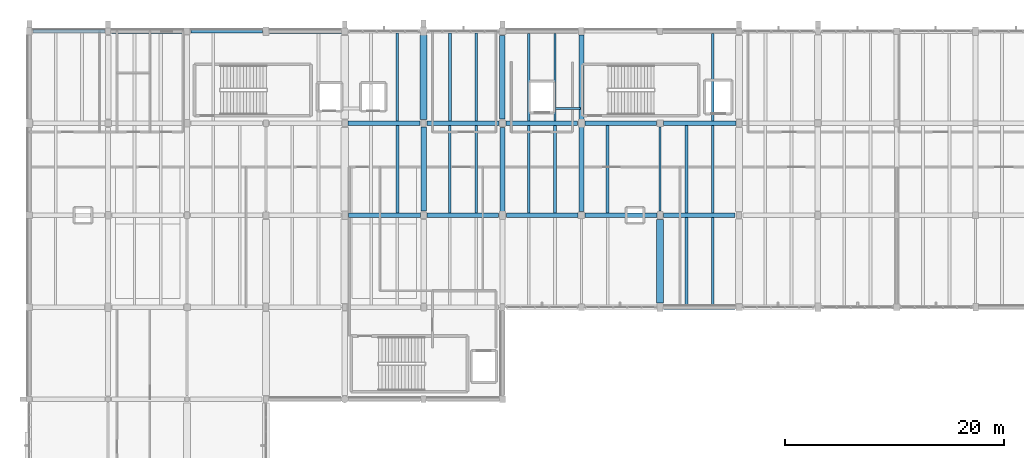
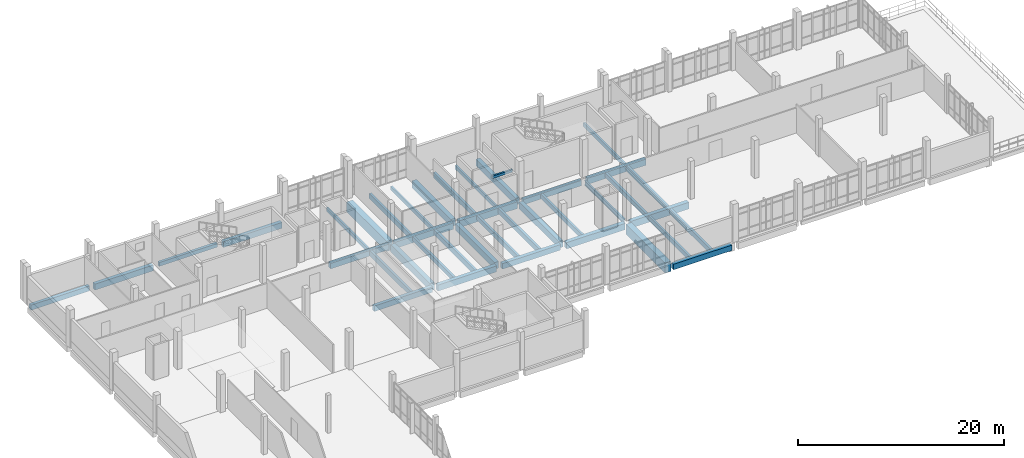
# One storey, part 30 of 62: 40 beams.
"""IFC4 building model written with IfcOpenShell, lengths in metres."""

from ifc_helpers import new_model, si_unit, direction, frame, origin, origin_2d, place, context, subcontext, project, spatial, rectangle, i_section, extrude, material, material_profile, profile_set, type_object, element, save


model = new_model("IFC4")

# Units and contexts
model_context = context("Model", 3, precision=1e-05, world=origin(), true_north=direction((0.0, 1.0)))
body_context = subcontext(model_context, "Body", "Model", "MODEL_VIEW")
ifc_project = project(units=[si_unit("LENGTHUNIT", "METRE"), si_unit("AREAUNIT", "SQUARE_METRE"), si_unit("VOLUMEUNIT", "CUBIC_METRE"), si_unit("PLANEANGLEUNIT", "RADIAN"), si_unit("MASSUNIT", "GRAM", prefix="KILO")], contexts=[model_context])

# Site, building, storey
site_placement = place(None, origin())
site = spatial("IfcSite", under=ifc_project, at=site_placement, CompositionType="ELEMENT")
building_placement = place(site_placement, origin())
building = spatial("IfcBuilding", under=site, at=building_placement, Name="Kalluvel Institute of Natural Sciences", CompositionType="ELEMENT")
storey_placement = place(building_placement, frame((0.0, 0.0, 27.89990234375)))
storey = spatial("IfcBuildingStorey", under=building, at=storey_placement, Name="L06", CompositionType="ELEMENT", Elevation=27.89990234375)

# Beams
ifc_material_1 = material(Name="Steel E350 Grade 350", Category="steel")
ifc_material_profile_1 = material_profile(ifc_material_1, i_section(OverallWidth=0.18994140625, OverallDepth=0.550048828125, WebThickness=0.01123046875, FlangeThickness=0.019287109375, FilletRadius=0.01806640625, at=origin_2d()), Name="ISMB 550")
ifc_profile_set_1 = profile_set([ifc_material_profile_1], Name="Steel E350 Grade 350")
beam_type_1 = type_object("IfcBeamType", Name="BM-ISMB550", PredefinedType="BEAM", material=ifc_profile_set_1)
beam_1_placement = place(storey_placement, frame((71.60009765625, 111.60009765625, -0.594970703125), z_axis=(0.0, 1.0, 0.0), x_axis=(-1.0, 0.0, 0.0)))
element("IfcBeam", 1, at=beam_1_placement, inside=storey, type_object=beam_type_1, Name="L06 girder GIR-L06-NS-X716-Y1112", PredefinedType="BEAM", context=body_context, shape_type="SweptSolid", body=[
    extrude(i_section(OverallWidth=0.18994140625, OverallDepth=0.550048828125, WebThickness=0.01123046875, FlangeThickness=0.019287109375, FilletRadius=0.01806640625, at=origin_2d()), origin(), (0.0, 0.0, 1.0), 7.6748046875),
])
ifc_material_2 = material(Name="Concrete M40", Category="concrete")
ifc_material_profile_2 = material_profile(ifc_material_2, rectangle(XDim=0.3798828125, YDim=0.639892578125, at=origin_2d()), Name="RCB 380x640")
ifc_profile_set_2 = profile_set([ifc_material_profile_2], Name="Concrete M40")
beam_type_2 = type_object("IfcBeamType", Name="BM-RC380x640", PredefinedType="BEAM", material=ifc_profile_set_2)
beam_2_placement = place(storey_placement, frame((43.14990234375, 111.199951171875, -0.639892578125), z_axis=(1.0, 0.0, 0.0), x_axis=(0.0, 1.0, 0.0)))
element("IfcBeam", 2, at=beam_2_placement, inside=storey, type_object=beam_type_2, Name="L06 girder GIR-L06-EW-X428-Y1112", PredefinedType="BEAM", context=body_context, shape_type="SweptSolid", body=[
    extrude(rectangle(XDim=0.3798828125, YDim=0.639892578125, at=origin_2d()), origin(), (0.0, 0.0, 1.0), 6.550048828125),
])
beam_3_placement = place(storey_placement, frame((64.75, 119.60009765625, -0.639892578125), z_axis=(1.0, 0.0, 0.0), x_axis=(0.0, 1.0, 0.0)))
element("IfcBeam", 3, at=beam_3_placement, inside=storey, type_object=beam_type_2, Name="L06 girder GIR-L06-EW-X644-Y1196", PredefinedType="BEAM", context=body_context, shape_type="SweptSolid", body=[
    extrude(rectangle(XDim=0.3798828125, YDim=0.639892578125, at=origin_2d()), origin(), (0.0, 0.0, 1.0), 6.52490234375),
])
ifc_material_profile_3 = material_profile(ifc_material_2, rectangle(XDim=0.39990234375, YDim=0.64990234375, at=origin_2d()), Name="RCB 400x650")
ifc_profile_set_3 = profile_set([ifc_material_profile_3], Name="Concrete M40")
beam_type_3 = type_object("IfcBeamType", Name="BM-RC400x650", PredefinedType="BEAM", material=ifc_profile_set_3)
beam_4_placement = place(storey_placement, frame((71.89990234375, 102.800048828125, -0.64501953125), z_axis=(1.0, 0.0, 0.0), x_axis=(0.0, 1.0, 0.0)))
element("IfcBeam", 4, at=beam_4_placement, inside=storey, type_object=beam_type_3, Name="L06 girder GIR-L06-EW-X716-Y1028", PredefinedType="BEAM", context=body_context, shape_type="SweptSolid", body=[
    extrude(rectangle(XDim=0.39990234375, YDim=0.64990234375, at=origin_2d()), origin(), (0.0, 0.0, 1.0), 6.550048828125),
])
beam_5_placement = place(storey_placement, frame((57.550048828125, 111.199951171875, -0.64501953125), z_axis=(1.0, 0.0, 0.0), x_axis=(0.0, 1.0, 0.0)))
element("IfcBeam", 5, at=beam_5_placement, inside=storey, type_object=beam_type_3, Name="L06 girder GIR-L06-EW-X572-Y1112", PredefinedType="BEAM", context=body_context, shape_type="SweptSolid", body=[
    extrude(rectangle(XDim=0.39990234375, YDim=0.64990234375, at=origin_2d()), origin(), (0.0, 0.0, 1.0), 6.52490234375),
])
beam_6_placement = place(storey_placement, frame((43.10009765625, 119.60009765625, -0.64501953125), z_axis=(1.0, 0.0, 0.0), x_axis=(0.0, 1.0, 0.0)))
element("IfcBeam", 6, at=beam_6_placement, inside=storey, type_object=beam_type_3, Name="L06 girder GIR-L06-EW-X428-Y1196", PredefinedType="BEAM", context=body_context, shape_type="SweptSolid", body=[
    extrude(rectangle(XDim=0.39990234375, YDim=0.64990234375, at=origin_2d()), origin(), (0.0, 0.0, 1.0), 6.574951171875),
])
ifc_material_profile_4 = material_profile(ifc_material_2, rectangle(XDim=0.419921875, YDim=0.719970703125, at=origin_2d()), Name="RCB 420x720")
ifc_profile_set_4 = profile_set([ifc_material_profile_4], Name="Concrete M40")
beam_type_4 = type_object("IfcBeamType", Name="BM-RC420x720", PredefinedType="BEAM", material=ifc_profile_set_4)
beam_7_placement = place(storey_placement, frame((50.300048828125, 111.199951171875, -0.679931640625), z_axis=(1.0, 0.0, 0.0), x_axis=(0.0, 1.0, 0.0)))
element("IfcBeam", 7, at=beam_7_placement, inside=storey, type_object=beam_type_4, Name="L06 girder GIR-L06-EW-X500-Y1112", PredefinedType="BEAM", context=body_context, shape_type="SweptSolid", body=[
    extrude(rectangle(XDim=0.419921875, YDim=0.719970703125, at=origin_2d()), origin(), (0.0, 0.0, 1.0), 6.550048828125),
])
beam_8_placement = place(storey_placement, frame((71.925048828125, 119.60009765625, -0.679931640625), z_axis=(1.0, 0.0, 0.0), x_axis=(0.0, 1.0, 0.0)))
element("IfcBeam", 8, at=beam_8_placement, inside=storey, type_object=beam_type_4, Name="L06 girder GIR-L06-EW-X716-Y1196", PredefinedType="BEAM", context=body_context, shape_type="SweptSolid", body=[
    extrude(rectangle(XDim=0.419921875, YDim=0.719970703125, at=origin_2d()), origin(), (0.0, 0.0, 1.0), 6.574951171875),
])
ifc_material_profile_5 = material_profile(ifc_material_2, rectangle(XDim=0.449951171875, YDim=0.75, at=origin_2d()), Name="RCB 450x750")
ifc_profile_set_5 = profile_set([ifc_material_profile_5], Name="Concrete M40")
beam_type_5 = type_object("IfcBeamType", Name="BM-RC450x750", PredefinedType="BEAM", material=ifc_profile_set_5)
for number, where, z_axis, x_axis, name in (
    (9, (64.72509765625, 111.199951171875, -0.69482421875), (1.0, 0.0, 0.0), (0.0, 1.0, 0.0), "L06 girder GIR-L06-EW-X644-Y1112"),
    (10, (50.324951171875, 119.60009765625, -0.69482421875), (1.0, 0.0, 0.0), (0.0, 1.0, 0.0), "L06 girder GIR-L06-EW-X500-Y1196"),
):
    element("IfcBeam", number, at=place(storey_placement, frame(where, z_axis=z_axis, x_axis=x_axis)), inside=storey, type_object=beam_type_5, Name=name, PredefinedType="BEAM", context=body_context, shape_type="SweptSolid", body=[
        extrude(rectangle(XDim=0.449951171875, YDim=0.75, at=origin_2d()), origin(), (0.0, 0.0, 1.0), 6.574951171875),
    ])
ifc_material_profile_6 = material_profile(ifc_material_2, rectangle(XDim=0.449951171875, YDim=0.800048828125, at=origin_2d()), Name="RCB 450x800")
ifc_profile_set_6 = profile_set([ifc_material_profile_6], Name="Concrete M40")
beam_type_6 = type_object("IfcBeamType", Name="BM-RC450x800", PredefinedType="BEAM", material=ifc_profile_set_6)
for number, where, z_axis, x_axis, name in (
    (11, (71.89990234375, 111.199951171875, -0.719970703125), (1.0, 0.0, 0.0), (0.0, 1.0, 0.0), "L06 girder GIR-L06-EW-X716-Y1112"),
    (12, (57.5, 119.60009765625, -0.719970703125), (1.0, 0.0, 0.0), (0.0, 1.0, 0.0), "L06 girder GIR-L06-EW-X572-Y1196"),
):
    element("IfcBeam", number, at=place(storey_placement, frame(where, z_axis=z_axis, x_axis=x_axis)), inside=storey, type_object=beam_type_6, Name=name, PredefinedType="BEAM", context=body_context, shape_type="SweptSolid", body=[
        extrude(rectangle(XDim=0.449951171875, YDim=0.800048828125, at=origin_2d()), origin(), (0.0, 0.0, 1.0), 6.550048828125),
    ])
beam_9_placement = place(storey_placement, frame((57.199951171875, 111.550048828125, -0.719970703125), z_axis=(0.0, 1.0, 0.0), x_axis=(-1.0, 0.0, 0.0)))
element("IfcBeam", 13, at=beam_9_placement, inside=storey, type_object=beam_type_6, Name="L06 girder GIR-L06-NS-X572-Y1112", PredefinedType="BEAM", context=body_context, shape_type="SweptSolid", body=[
    extrude(rectangle(XDim=0.449951171875, YDim=0.800048828125, at=origin_2d()), origin(), (0.0, 0.0, 1.0), 7.64990234375),
])
beam_10_placement = place(storey_placement, frame((64.39990234375, 111.52490234375, -0.719970703125), z_axis=(0.0, 1.0, 0.0), x_axis=(-1.0, 0.0, 0.0)))
element("IfcBeam", 14, at=beam_10_placement, inside=storey, type_object=beam_type_6, Name="L06 girder GIR-L06-NS-X644-Y1112", PredefinedType="BEAM", context=body_context, shape_type="SweptSolid", body=[
    extrude(rectangle(XDim=0.449951171875, YDim=0.800048828125, at=origin_2d()), origin(), (0.0, 0.0, 1.0), 7.72509765625),
])
beam_11_placement = place(storey_placement, frame((64.39990234375, 119.949951171875, -0.719970703125), z_axis=(0.0, 1.0, 0.0), x_axis=(-1.0, 0.0, 0.0)))
element("IfcBeam", 15, at=beam_11_placement, inside=storey, type_object=beam_type_6, Name="L06 girder GIR-L06-NS-X644-Y1196", PredefinedType="BEAM", context=body_context, shape_type="SweptSolid", body=[
    extrude(rectangle(XDim=0.449951171875, YDim=0.800048828125, at=origin_2d()), origin(), (0.0, 0.0, 1.0), 7.699951171875),
])
ifc_material_3 = material(Name="Concrete M50", Category="concrete")
ifc_material_profile_7 = material_profile(ifc_material_3, rectangle(XDim=0.5, YDim=0.85009765625, at=origin_2d()), Name="RCB 500x850")
ifc_profile_set_7 = profile_set([ifc_material_profile_7], Name="Concrete M50")
beam_type_7 = type_object("IfcBeamType", Name="BM-RC500x850", PredefinedType="BEAM", material=ifc_profile_set_7)
beam_12_placement = place(storey_placement, frame((50.0, 111.60009765625, -0.744873046875), z_axis=(0.0, 1.0, 0.0), x_axis=(-1.0, 0.0, 0.0)))
element("IfcBeam", 16, at=beam_12_placement, inside=storey, type_object=beam_type_7, Name="L06 girder GIR-L06-NS-X500-Y1112", PredefinedType="BEAM", context=body_context, shape_type="SweptSolid", body=[
    extrude(rectangle(XDim=0.5, YDim=0.85009765625, at=origin_2d()), origin(), (0.0, 0.0, 1.0), 7.6748046875),
])
beam_13_placement = place(storey_placement, frame((57.199951171875, 120.0, -0.744873046875), z_axis=(0.0, 1.0, 0.0), x_axis=(-1.0, 0.0, 0.0)))
element("IfcBeam", 17, at=beam_13_placement, inside=storey, type_object=beam_type_7, Name="L06 girder GIR-L06-NS-X572-Y1196", PredefinedType="BEAM", context=body_context, shape_type="SweptSolid", body=[
    extrude(rectangle(XDim=0.5, YDim=0.85009765625, at=origin_2d()), origin(), (0.0, 0.0, 1.0), 7.60009765625),
])
ifc_material_profile_8 = material_profile(ifc_material_3, rectangle(XDim=0.64990234375, YDim=1.199951171875, at=origin_2d()), Name="RCB 650x1200")
ifc_profile_set_8 = profile_set([ifc_material_profile_8], Name="Concrete M50")
beam_type_8 = type_object("IfcBeamType", Name="BM-RC650x1200", PredefinedType="BEAM", material=ifc_profile_set_8)
beam_14_placement = place(storey_placement, frame((50.0, 119.925048828125, -0.919921875), z_axis=(0.0, 1.0, 0.0), x_axis=(-1.0, 0.0, 0.0)))
element("IfcBeam", 18, at=beam_14_placement, inside=storey, type_object=beam_type_8, Name="L06 girder GIR-L06-NS-X500-Y1196", PredefinedType="BEAM", context=body_context, shape_type="SweptSolid", body=[
    extrude(rectangle(XDim=0.64990234375, YDim=1.199951171875, at=origin_2d()), origin(), (0.0, 0.0, 1.0), 7.75),
])
beam_15_placement = place(storey_placement, frame((71.60009765625, 103.199951171875, -0.919921875), z_axis=(0.0, 1.0, 0.0), x_axis=(-1.0, 0.0, 0.0)))
element("IfcBeam", 19, at=beam_15_placement, inside=storey, type_object=beam_type_8, Name="L06 girder GIR-L06-NS-X716-Y1028", PredefinedType="BEAM", context=body_context, shape_type="SweptSolid", body=[
    extrude(rectangle(XDim=0.64990234375, YDim=1.199951171875, at=origin_2d()), origin(), (0.0, 0.0, 1.0), 7.60009765625),
])
ifc_material_4 = material(Name="Sadarahalli Granite Precast Concrete M45", Category="masonry")
ifc_material_profile_9 = material_profile(ifc_material_4, rectangle(XDim=0.199951171875, YDim=0.300048828125, at=origin_2d()), Name="LIN 200x300")
ifc_profile_set_9 = profile_set([ifc_material_profile_9], Name="Sadarahalli Granite Precast Concrete M45")
beam_type_9 = type_object("IfcBeamType", Name="LN-200x300-INT", PredefinedType="LINTEL", material=ifc_profile_set_9)
beam_16_placement = place(storey_placement, frame((62.0400390625, 120.949951171875, 2.35009765625), z_axis=(1.0, 0.0, 0.0), x_axis=(0.0, 1.0, 0.0)))
element("IfcBeam", 20, at=beam_16_placement, inside=storey, type_object=beam_type_9, Name="L06 core coupling lintel B", PredefinedType="LINTEL", context=body_context, shape_type="SweptSolid", body=[
    extrude(rectangle(XDim=0.199951171875, YDim=0.300048828125, at=origin_2d()), origin(), (0.0, 0.0, 1.0), 2.2900390625),
])
ifc_material_profile_10 = material_profile(ifc_material_2, rectangle(XDim=0.300048828125, YDim=0.449951171875, at=origin_2d()), Name="RCB 300x450")
ifc_profile_set_10 = profile_set([ifc_material_profile_10], Name="Concrete M40")
beam_type_10 = type_object("IfcBeamType", Name="SP-RC300x450", PredefinedType="SPANDREL", material=ifc_profile_set_10)
beam_17_placement = place(storey_placement, frame((28.75, 128.0, -0.544921875), z_axis=(1.0, 0.0, 0.0), x_axis=(0.0, 1.0, 0.0)))
element("IfcBeam", 21, at=beam_17_placement, inside=storey, type_object=beam_type_10, Name="L06 girder GIR-L06-EW-X284-Y1280", PredefinedType="SPANDREL", context=body_context, shape_type="SweptSolid", body=[
    extrude(rectangle(XDim=0.300048828125, YDim=0.449951171875, at=origin_2d()), origin(), (0.0, 0.0, 1.0), 6.52490234375),
])
ifc_material_profile_11 = material_profile(ifc_material_2, rectangle(XDim=0.35009765625, YDim=0.60009765625, at=origin_2d()), Name="RCB 350x600")
ifc_profile_set_11 = profile_set([ifc_material_profile_11], Name="Concrete M40")
beam_type_11 = type_object("IfcBeamType", Name="SP-RC350x600", PredefinedType="SPANDREL", material=ifc_profile_set_11)
beam_18_placement = place(storey_placement, frame((14.324951171875, 128.0, -0.619873046875), z_axis=(1.0, 0.0, 0.0), x_axis=(0.0, 1.0, 0.0)))
element("IfcBeam", 22, at=beam_18_placement, inside=storey, type_object=beam_type_11, Name="L06 girder GIR-L06-EW-X140-Y1280", PredefinedType="SPANDREL", context=body_context, shape_type="SweptSolid", body=[
    extrude(rectangle(XDim=0.35009765625, YDim=0.60009765625, at=origin_2d()), origin(), (0.0, 0.0, 1.0), 6.574951171875),
])
ifc_material_profile_12 = material_profile(ifc_material_2, rectangle(XDim=0.39990234375, YDim=0.699951171875, at=origin_2d()), Name="RCB 400x700")
ifc_profile_set_12 = profile_set([ifc_material_profile_12], Name="Concrete M40")
beam_type_12 = type_object("IfcBeamType", Name="SP-RC400x700", PredefinedType="SPANDREL", material=ifc_profile_set_12)
beam_19_placement = place(storey_placement, frame((21.5, 128.0, -0.669921875), z_axis=(1.0, 0.0, 0.0), x_axis=(0.0, 1.0, 0.0)))
element("IfcBeam", 23, at=beam_19_placement, inside=storey, type_object=beam_type_12, Name="L06 girder GIR-L06-EW-X212-Y1280", PredefinedType="SPANDREL", context=body_context, shape_type="SweptSolid", body=[
    extrude(rectangle(XDim=0.39990234375, YDim=0.699951171875, at=origin_2d()), origin(), (0.0, 0.0, 1.0), 6.550048828125),
])
beam_20_placement = place(storey_placement, frame((35.925048828125, 128.0, -0.669921875), z_axis=(1.0, 0.0, 0.0), x_axis=(0.0, 1.0, 0.0)))
element("IfcBeam", 24, at=beam_20_placement, inside=storey, type_object=beam_type_12, Name="L06 girder GIR-L06-EW-X356-Y1280", PredefinedType="SPANDREL", context=body_context, shape_type="SweptSolid", body=[
    extrude(rectangle(XDim=0.39990234375, YDim=0.699951171875, at=origin_2d()), origin(), (0.0, 0.0, 1.0), 6.574951171875),
])
ifc_material_profile_13 = material_profile(ifc_material_2, rectangle(XDim=0.199951171875, YDim=0.4599609375, at=origin_2d()), Name="WAF 200x460")
ifc_profile_set_13 = profile_set([ifc_material_profile_13], Name="Concrete M40")
beam_type_13 = type_object("IfcBeamType", Name="WJ-200x460", PredefinedType="JOIST", material=ifc_profile_set_13)
beam_21_placement = place(storey_placement, frame((47.60009765625, 119.800048828125, -0.5498046875), z_axis=(0.0, 1.0, 0.0), x_axis=(-1.0, 0.0, 0.0)))
element("IfcBeam", 25, at=beam_21_placement, inside=storey, type_object=beam_type_13, Name="L06 waffle joist RIB-L06-0468", PredefinedType="JOIST", context=body_context, shape_type="SweptSolid", body=[
    extrude(rectangle(XDim=0.199951171875, YDim=0.4599609375, at=origin_2d()), origin(), (0.0, 0.0, 1.0), 8.050048828125),
])
beam_22_placement = place(storey_placement, frame((54.800048828125, 119.824951171875, -0.5498046875), z_axis=(0.0, 1.0, 0.0), x_axis=(-1.0, 0.0, 0.0)))
element("IfcBeam", 26, at=beam_22_placement, inside=storey, type_object=beam_type_13, Name="L06 waffle joist RIB-L06-0474", PredefinedType="JOIST", context=body_context, shape_type="SweptSolid", body=[
    extrude(rectangle(XDim=0.199951171875, YDim=0.4599609375, at=origin_2d()), origin(), (0.0, 0.0, 1.0), 8.0),
])
beam_23_placement = place(storey_placement, frame((62.0, 119.824951171875, -0.5498046875), z_axis=(0.0, 1.0, 0.0), x_axis=(-1.0, 0.0, 0.0)))
element("IfcBeam", 27, at=beam_23_placement, inside=storey, type_object=beam_type_13, Name="L06 waffle joist RIB-L06-0480", PredefinedType="JOIST", context=body_context, shape_type="SweptSolid", body=[
    extrude(rectangle(XDim=0.199951171875, YDim=0.4599609375, at=origin_2d()), origin(), (0.0, 0.0, 1.0), 7.97509765625),
])
beam_24_placement = place(storey_placement, frame((76.39990234375, 119.81005859375, -0.5498046875), z_axis=(0.0, 1.0, 0.0), x_axis=(-1.0, 0.0, 0.0)))
element("IfcBeam", 28, at=beam_24_placement, inside=storey, type_object=beam_type_13, Name="L06 waffle joist RIB-L06-0487", PredefinedType="JOIST", context=body_context, shape_type="SweptSolid", body=[
    extrude(rectangle(XDim=0.199951171875, YDim=0.4599609375, at=origin_2d()), origin(), (0.0, 0.0, 1.0), 7.989990234375),
])
ifc_material_profile_14 = material_profile(ifc_material_2, rectangle(XDim=0.239990234375, YDim=0.52001953125, at=origin_2d()), Name="WAF 240x520")
ifc_profile_set_14 = profile_set([ifc_material_profile_14], Name="Concrete M40")
beam_type_14 = type_object("IfcBeamType", Name="WJ-240x520", PredefinedType="JOIST", material=ifc_profile_set_14)
beam_25_placement = place(storey_placement, frame((52.39990234375, 111.409912109375, -0.579833984375), z_axis=(0.0, 1.0, 0.0), x_axis=(-1.0, 0.0, 0.0)))
element("IfcBeam", 29, at=beam_25_placement, inside=storey, type_object=beam_type_14, Name="L06 waffle joist RIB-L06-0471", PredefinedType="JOIST", context=body_context, shape_type="SweptSolid", body=[
    extrude(rectangle(XDim=0.239990234375, YDim=0.52001953125, at=origin_2d()), origin(), (0.0, 0.0, 1.0), 7.965087890625),
])
beam_26_placement = place(storey_placement, frame((74.0, 103.0, -0.579833984375), z_axis=(0.0, 1.0, 0.0), x_axis=(-1.0, 0.0, 0.0)))
element("IfcBeam", 30, at=beam_26_placement, inside=storey, type_object=beam_type_14, Name="L06 waffle joist RIB-L06-0483", PredefinedType="JOIST", context=body_context, shape_type="SweptSolid", body=[
    extrude(rectangle(XDim=0.239990234375, YDim=0.52001953125, at=origin_2d()), origin(), (0.0, 0.0, 1.0), 7.97509765625),
])
ifc_material_profile_15 = material_profile(ifc_material_2, rectangle(XDim=0.25, YDim=0.550048828125, at=origin_2d()), Name="WAF 250x550")
ifc_profile_set_15 = profile_set([ifc_material_profile_15], Name="Concrete M40")
beam_type_15 = type_object("IfcBeamType", Name="WJ-250x550", PredefinedType="JOIST", material=ifc_profile_set_15)
beam_27_placement = place(storey_placement, frame((59.60009765625, 111.39990234375, -0.594970703125), z_axis=(0.0, 1.0, 0.0), x_axis=(-1.0, 0.0, 0.0)))
element("IfcBeam", 31, at=beam_27_placement, inside=storey, type_object=beam_type_15, Name="L06 waffle joist RIB-L06-0477", PredefinedType="JOIST", context=body_context, shape_type="SweptSolid", body=[
    extrude(rectangle(XDim=0.25, YDim=0.550048828125, at=origin_2d()), origin(), (0.0, 0.0, 1.0), 7.97509765625),
])
beam_28_placement = place(storey_placement, frame((66.800048828125, 111.425048828125, -0.594970703125), z_axis=(0.0, 1.0, 0.0), x_axis=(-1.0, 0.0, 0.0)))
element("IfcBeam", 32, at=beam_28_placement, inside=storey, type_object=beam_type_15, Name="L06 waffle joist RIB-L06-0482", PredefinedType="JOIST", context=body_context, shape_type="SweptSolid", body=[
    extrude(rectangle(XDim=0.25, YDim=0.550048828125, at=origin_2d()), origin(), (0.0, 0.0, 1.0), 7.98486328125),
])
beam_29_placement = place(storey_placement, frame((74.0, 111.425048828125, -0.594970703125), z_axis=(0.0, 1.0, 0.0), x_axis=(-1.0, 0.0, 0.0)))
element("IfcBeam", 33, at=beam_29_placement, inside=storey, type_object=beam_type_15, Name="L06 waffle joist RIB-L06-0485", PredefinedType="JOIST", context=body_context, shape_type="SweptSolid", body=[
    extrude(rectangle(XDim=0.25, YDim=0.550048828125, at=origin_2d()), origin(), (0.0, 0.0, 1.0), 7.96484375),
])
ifc_material_profile_16 = material_profile(ifc_material_2, rectangle(XDim=0.25, YDim=0.60009765625, at=origin_2d()), Name="WAF 250x600")
ifc_profile_set_16 = profile_set([ifc_material_profile_16], Name="Concrete M40")
beam_type_16 = type_object("IfcBeamType", Name="WJ-250x600", PredefinedType="JOIST", material=ifc_profile_set_16)
beam_30_placement = place(storey_placement, frame((52.39990234375, 119.824951171875, -0.619873046875), z_axis=(0.0, 1.0, 0.0), x_axis=(-1.0, 0.0, 0.0)))
element("IfcBeam", 34, at=beam_30_placement, inside=storey, type_object=beam_type_16, Name="L06 waffle joist RIB-L06-0473", PredefinedType="JOIST", context=body_context, shape_type="SweptSolid", body=[
    extrude(rectangle(XDim=0.25, YDim=0.60009765625, at=origin_2d()), origin(), (0.0, 0.0, 1.0), 8.0),
])
beam_31_placement = place(storey_placement, frame((76.39990234375, 103.0, -0.619873046875), z_axis=(0.0, 1.0, 0.0), x_axis=(-1.0, 0.0, 0.0)))
element("IfcBeam", 35, at=beam_31_placement, inside=storey, type_object=beam_type_16, Name="L06 waffle joist RIB-L06-0484", PredefinedType="JOIST", context=body_context, shape_type="SweptSolid", body=[
    extrude(rectangle(XDim=0.25, YDim=0.60009765625, at=origin_2d()), origin(), (0.0, 0.0, 1.0), 7.97509765625),
])
ifc_material_profile_17 = material_profile(ifc_material_3, rectangle(XDim=0.260009765625, YDim=0.6201171875, at=origin_2d()), Name="WAF 260x620")
ifc_profile_set_17 = profile_set([ifc_material_profile_17], Name="Concrete M50")
beam_type_17 = type_object("IfcBeamType", Name="WJ-260x620", PredefinedType="JOIST", material=ifc_profile_set_17)
beam_32_placement = place(storey_placement, frame((47.60009765625, 111.389892578125, -0.6298828125), z_axis=(0.0, 1.0, 0.0), x_axis=(-1.0, 0.0, 0.0)))
element("IfcBeam", 36, at=beam_32_placement, inside=storey, type_object=beam_type_17, Name="L06 waffle joist RIB-L06-0466", PredefinedType="JOIST", context=body_context, shape_type="SweptSolid", body=[
    extrude(rectangle(XDim=0.260009765625, YDim=0.6201171875, at=origin_2d()), origin(), (0.0, 0.0, 1.0), 8.010009765625),
])
beam_33_placement = place(storey_placement, frame((54.800048828125, 111.409912109375, -0.6298828125), z_axis=(0.0, 1.0, 0.0), x_axis=(-1.0, 0.0, 0.0)))
element("IfcBeam", 37, at=beam_33_placement, inside=storey, type_object=beam_type_17, Name="L06 waffle joist RIB-L06-0472", PredefinedType="JOIST", context=body_context, shape_type="SweptSolid", body=[
    extrude(rectangle(XDim=0.260009765625, YDim=0.6201171875, at=origin_2d()), origin(), (0.0, 0.0, 1.0), 7.965087890625),
])
for number, where, z_axis, x_axis, name in (
    (38, (62.0, 111.39990234375, -0.6298828125), (0.0, 1.0, 0.0), (-1.0, 0.0, 0.0), "L06 waffle joist RIB-L06-0478"),
    (39, (59.60009765625, 119.824951171875, -0.6298828125), (0.0, 1.0, 0.0), (-1.0, 0.0, 0.0), "L06 waffle joist RIB-L06-0479"),
):
    element("IfcBeam", number, at=place(storey_placement, frame(where, z_axis=z_axis, x_axis=x_axis)), inside=storey, type_object=beam_type_17, Name=name, PredefinedType="JOIST", context=body_context, shape_type="SweptSolid", body=[
        extrude(rectangle(XDim=0.260009765625, YDim=0.6201171875, at=origin_2d()), origin(), (0.0, 0.0, 1.0), 7.97509765625),
    ])
beam_34_placement = place(storey_placement, frame((76.39990234375, 111.425048828125, -0.6298828125), z_axis=(0.0, 1.0, 0.0), x_axis=(-1.0, 0.0, 0.0)))
element("IfcBeam", 40, at=beam_34_placement, inside=storey, type_object=beam_type_17, Name="L06 waffle joist RIB-L06-0486", PredefinedType="JOIST", context=body_context, shape_type="SweptSolid", body=[
    extrude(rectangle(XDim=0.260009765625, YDim=0.6201171875, at=origin_2d()), origin(), (0.0, 0.0, 1.0), 7.96484375),
])

save(model, "model.ifc")
